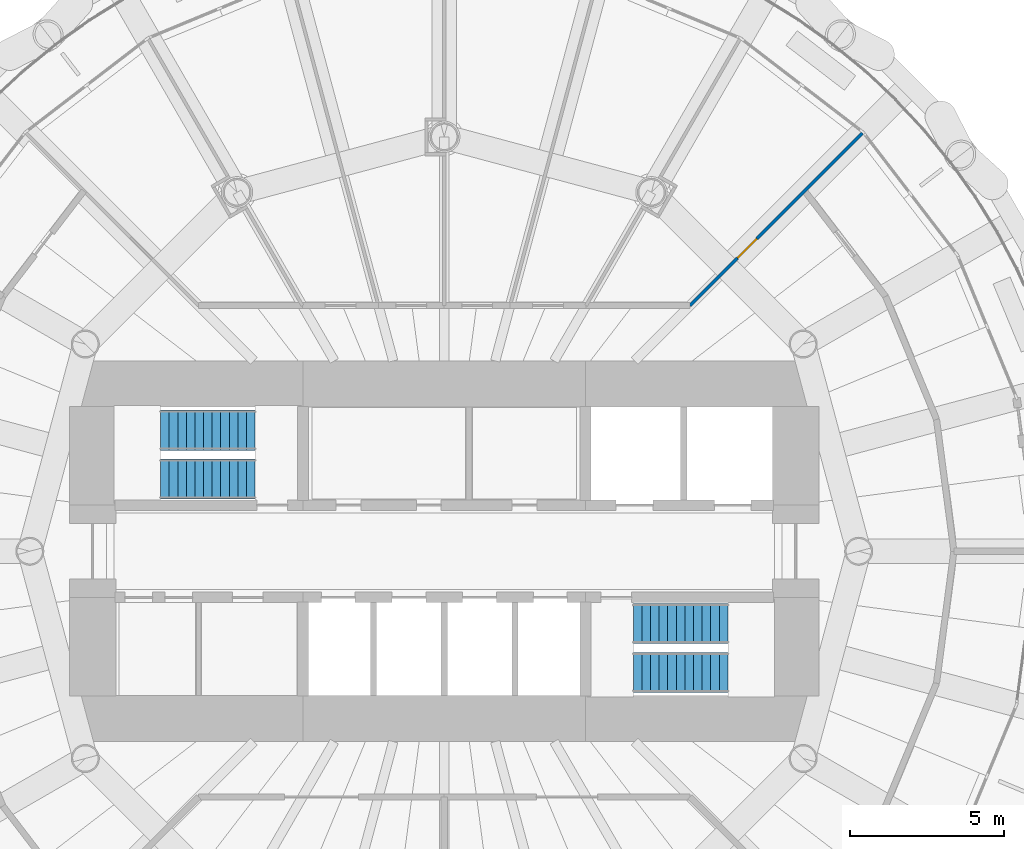
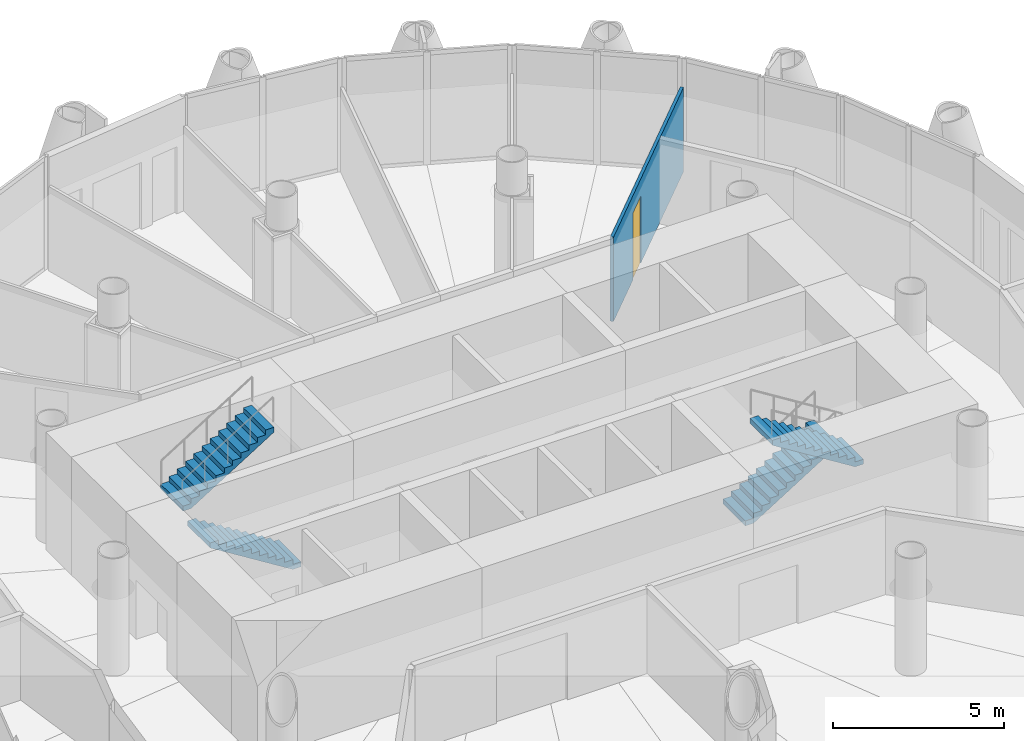
# One storey, part 12 of 15: 4 stair flights, 1 door, 1 wall, 1 opening, 2 elements without a shape of their own.
"""IFC4 building model written with IfcOpenShell, lengths in metres."""

import ifcopenshell
import ifcopenshell.guid

model = None  # the IFC model being written
_history = None  # IfcOwnerHistory: only IFC2X3 demands one
_inside = {}  # id of a spatial element -> (the spatial element, [elements in it])
_under = {}  # id of a project, library or spatial element -> (it, [spatial elements below it])
_declared = {}  # id of a project -> (the project, [libraries it declares])
_typed = {}  # id of a type object -> (the type object, [elements of that type])
_made_of = {}  # id of a material, layer set ... -> (it, [elements and type objects made of it])


def new_model(schema):
    """Start an empty IFC model of exactly this schema.

    Asked for "IFC4X3", IfcOpenShell would pick the latest addendum, in which some entities
    have other attributes; the version numbers below select the first issue.
    IFC2X3 requires an IfcOwnerHistory on every rooted entity: one is made here for all.
    """
    global model, _history
    if schema == "IFC4X3":
        model = ifcopenshell.file(schema_version=(4, 3, 0, 0))
    else:
        model = ifcopenshell.file(schema=schema)
    _inside.clear()
    _under.clear()
    _declared.clear()
    _typed.clear()
    _made_of.clear()
    _history = None
    if model.schema == "IFC2X3":
        org = make("IfcOrganization", Name="unknown")
        user = make(
            "IfcPersonAndOrganization",
            ThePerson=make("IfcPerson", FamilyName="unknown"),
            TheOrganization=org,
        )
        app = make(
            "IfcApplication",
            ApplicationDeveloper=org,
            Version="unknown",
            ApplicationFullName="unknown",
            ApplicationIdentifier="unknown",
        )
        _history = make(
            "IfcOwnerHistory",
            OwningUser=user,
            OwningApplication=app,
            ChangeAction="ADDED",
            CreationDate=0,
        )
    return model


def make(cls, **values):
    """One entity of the class cls with the attributes given. An attribute that is None is left unset."""
    return model.create_entity(
        cls, **{name: value for name, value in values.items() if value is not None}
    )


def rooted(cls, **values):
    """An entity with a GlobalId (a new one), such as an element, a storey or a relation."""
    return make(cls, GlobalId=ifcopenshell.guid.new(), OwnerHistory=_history, **values)


def si_unit(unit_type, name, prefix=None):
    """IfcSIUnit, for example si_unit("LENGTHUNIT", "METRE", prefix="MILLI")."""
    return make("IfcSIUnit", UnitType=unit_type, Prefix=prefix, Name=name)


def assignment(units):
    """IfcUnitAssignment: the units of a project."""
    return None if units is None else make("IfcUnitAssignment", Units=units)


def point(xyz):
    """IfcCartesianPoint."""
    return None if xyz is None else make("IfcCartesianPoint", Coordinates=xyz)


def direction(xyz):
    """IfcDirection."""
    return None if xyz is None else make("IfcDirection", DirectionRatios=xyz)


def frame(location, z_axis=None, x_axis=None):
    """IfcAxis2Placement3D, a coordinate frame: its origin and axes. An axis left out is left unset."""
    return make(
        "IfcAxis2Placement3D",
        Location=point(location),
        Axis=direction(z_axis),
        RefDirection=direction(x_axis),
    )


def frame_2d(location, x_axis=None):
    """IfcAxis2Placement2D, a coordinate frame in the plane: its origin and x axis."""
    return make(
        "IfcAxis2Placement2D", Location=point(location), RefDirection=direction(x_axis)
    )


def origin():
    """The frame at (0, 0, 0) with its axes left unset."""
    return frame((0.0, 0.0, 0.0))


def place(relative_to, where):
    """IfcLocalPlacement: puts the frame where relative to a parent placement (None: the world)."""
    return make(
        "IfcLocalPlacement", PlacementRelTo=relative_to, RelativePlacement=where
    )


def context(
    kind, dimensions, precision=None, world=None, true_north=None, identifier=None
):
    """IfcGeometricRepresentationContext, for example the 3D "Model" context."""
    return make(
        "IfcGeometricRepresentationContext",
        ContextIdentifier=identifier,
        ContextType=kind,
        CoordinateSpaceDimension=dimensions,
        Precision=precision,
        WorldCoordinateSystem=world,
        TrueNorth=true_north,
    )


def subcontext(parent, identifier, kind, view, scale=None):
    """IfcGeometricRepresentationSubContext, for example "Body" below "Model"."""
    return make(
        "IfcGeometricRepresentationSubContext",
        ContextIdentifier=identifier,
        ContextType=kind,
        ParentContext=parent,
        TargetScale=scale,
        TargetView=view,
    )


def project(units=None, contexts=None):
    """IfcProject with its units and contexts."""
    return rooted(
        "IfcProject",
        Name="project",
        RepresentationContexts=contexts,
        UnitsInContext=assignment(units),
    )


def spatial(cls, under=None, at=None, **own):
    """A site, building, storey or space (cls), placed at a placement, below another one or the project."""
    s = rooted(cls, ObjectPlacement=at, **own)
    if under is not None:
        _under.setdefault(under.id(), (under, []))[1].append(s)
    return s


def polyline(points):
    """IfcPolyline through the points."""
    return make("IfcPolyline", Points=[point(p) for p in points])


def profile(cls, at=None, kind="AREA", **sizes):
    """A parametric profile (cls). Its sizes go by their IFC names, for example OverallWidth=200.0."""
    return make(cls, ProfileType=kind, Position=at, **sizes)


def rectangle(**sizes):
    """IfcRectangleProfileDef."""
    return profile("IfcRectangleProfileDef", **sizes)


def outline(outer, holes=None, kind="AREA"):
    """IfcArbitraryClosedProfileDef: a profile drawn as a closed curve; with holes, ...WithVoids."""
    if holes is None:
        return make("IfcArbitraryClosedProfileDef", ProfileType=kind, OuterCurve=outer)
    return make(
        "IfcArbitraryProfileDefWithVoids",
        ProfileType=kind,
        OuterCurve=outer,
        InnerCurves=holes,
    )


def extrude(swept, where, along, depth):
    """IfcExtrudedAreaSolid: the profile swept, set in the frame where, extruded along a direction by depth."""
    return make(
        "IfcExtrudedAreaSolid",
        SweptArea=swept,
        Position=where,
        ExtrudedDirection=direction(along),
        Depth=depth,
    )


def shape(context_of_items, identifier, shape_type, items):
    """IfcShapeRepresentation: the items that make up one representation, for example the "Body"."""
    return make(
        "IfcShapeRepresentation",
        ContextOfItems=context_of_items,
        RepresentationIdentifier=identifier,
        RepresentationType=shape_type,
        Items=items,
    )


def material(Name=None, Category=None):
    """IfcMaterial."""
    return make("IfcMaterial", Name=Name, Category=Category)


def layer(
    of_material, thickness, ventilated=None, Name=None, Category=None, Priority=None
):
    """IfcMaterialLayer: one layer of a wall or slab, of a material (None: an air gap)."""
    return make(
        "IfcMaterialLayer",
        Material=of_material,
        LayerThickness=thickness,
        IsVentilated=ventilated,
        Name=Name,
        Category=Category,
        Priority=Priority,
    )


def layer_set(layers, Name=None):
    """IfcMaterialLayerSet."""
    return make("IfcMaterialLayerSet", MaterialLayers=layers, LayerSetName=Name)


def made_of(thing, what):
    """Note that an element or type object is made of a material, layer set ...; save() writes the relation."""
    if what is not None:
        _made_of.setdefault(what.id(), (what, []))[1].append(thing)
    return thing


def type_object(cls, material=None, **own):
    """A type object (cls), such as IfcWallType, which elements share."""
    return made_of(rooted(cls, **own), material)


def element(
    cls,
    number,
    at=None,
    inside=None,
    cuts=None,
    type_object=None,
    material=None,
    context=None,
    identifier="Body",
    shape_type=None,
    held_by="IfcProductDefinitionShape",
    body=None,
    shapes=None,
    **own,
):
    """One element of the class cls, such as IfcWall. Its Tag is "e" and its number.

    at: its placement. inside: the storey or other place that contains it. cuts: it is an
    opening in that element (IfcRelVoidsElement). A single representation is given by context,
    identifier, shape_type and body (its items); several are given by shapes. held_by: the class
    of the entity that holds the representations. save() writes the other relations.
    """
    e = rooted(cls, Tag="e%d" % number, ObjectPlacement=at, **own)
    if body is not None:
        shapes = [shape(context, identifier, shape_type, body)]
    if shapes is not None:
        e.Representation = make(held_by, Representations=shapes)
    if inside is not None:
        _inside.setdefault(inside.id(), (inside, []))[1].append(e)
    if cuts is not None:
        rooted(
            "IfcRelVoidsElement", RelatingBuildingElement=cuts, RelatedOpeningElement=e
        )
    if type_object is not None:
        _typed.setdefault(type_object.id(), (type_object, []))[1].append(e)
    return made_of(e, material)


def fill(opening, filler):
    """IfcRelFillsElement: the door or window that sits in an opening."""
    return rooted(
        "IfcRelFillsElement",
        RelatingOpeningElement=opening,
        RelatedBuildingElement=filler,
    )


def aggregate(whole, parts):
    """IfcRelAggregates: a whole, such as a stair, and the parts it consists of."""
    return rooted("IfcRelAggregates", RelatingObject=whole, RelatedObjects=parts)


def save(model, path):
    """Write the relations noted so far, then the file.

    IfcRelAggregates (storeys below a building ...), IfcRelContainedInSpatialStructure (elements
    in a storey), IfcRelDefinesByType, IfcRelAssociatesMaterial and IfcRelDeclares: one each for
    every whole, place, type object, material and project.
    """
    for whole, parts in _under.values():
        aggregate(whole, parts)
    for where, things in _inside.values():
        rooted(
            "IfcRelContainedInSpatialStructure",
            RelatedElements=things,
            RelatingStructure=where,
        )
    for kind, things in _typed.values():
        rooted("IfcRelDefinesByType", RelatedObjects=things, RelatingType=kind)
    for what, things in _made_of.values():
        rooted("IfcRelAssociatesMaterial", RelatedObjects=things, RelatingMaterial=what)
    for by, libraries in _declared.values():
        rooted("IfcRelDeclares", RelatingContext=by, RelatedDefinitions=libraries)
    model.write(path)


model = new_model("IFC4")

# Units and contexts
model_context = context("Model", 3, precision=1e-05, world=origin(), true_north=direction((0.0, 1.0)))
body_context = subcontext(model_context, "Body", "Model", "MODEL_VIEW")
ifc_project = project(units=[si_unit("LENGTHUNIT", "METRE"), si_unit("AREAUNIT", "SQUARE_METRE"), si_unit("VOLUMEUNIT", "CUBIC_METRE"), si_unit("PLANEANGLEUNIT", "RADIAN"), si_unit("MASSUNIT", "GRAM", prefix="KILO")], contexts=[model_context])

# Site, building, storey
site_placement = place(None, origin())
site = spatial("IfcSite", under=ifc_project, at=site_placement, CompositionType="ELEMENT")
building_placement = place(site_placement, origin())
building = spatial("IfcBuilding", under=site, at=building_placement, Name="Qaws Media Tower", CompositionType="ELEMENT")
storey_placement = place(building_placement, frame((0.0, 0.0, 265.39990234375)))
storey = spatial("IfcBuildingStorey", under=building, at=storey_placement, Name="L61", CompositionType="ELEMENT", Elevation=265.39990234375)

# Wall, opening, door
ifc_material_1 = material(Name="Gypsum board on 70 metal studs, single layer each side", Category="gypsum")
ifc_layer = layer(ifc_material_1, 0.10009765625)
ifc_layer_set = layer_set([ifc_layer], Name="Office stud partition 100")
wall_type = type_object("IfcWallType", Name="Office stud partition 100", PredefinedType="PARTITIONING", material=ifc_layer_set)
wall_placement = place(storey_placement, frame((68.0, 58.0, 0.0), z_axis=(0.0, 0.0, 1.0), x_axis=(0.707106781187, 0.707106781187, 0.0)))
wall = element("IfcWall", 1, at=wall_placement, inside=storey, type_object=wall_type, Name="W723 IW4 partition L61", PredefinedType="PARTITIONING", context=body_context, shape_type="SweptSolid", body=[
    extrude(rectangle(XDim=7.9462890625, YDim=0.10009765625, at=frame_2d((3.97314453125, 0.0))), origin(), (0.0, 0.0, 1.0), 3.02001953125),
])
opening_placement = place(wall_placement, frame((2.193115234375, 0.0, 0.0)))
opening = element("IfcOpeningElement", 2, at=opening_placement, cuts=wall, Name="Opening D27", PredefinedType="OPENING", context=body_context, shape_type="SweptSolid", body=[
    extrude(rectangle(XDim=0.89990234375, YDim=2.39990234375, at=frame_2d((0.449951171875, 1.199951171875))), frame((0.0, 0.06005859375, 0.0), z_axis=(0.0, -1.0, 0.0), x_axis=(1.0, 0.0, 0.0)), (0.0, 0.0, 1.0), 0.1201171875),
])
ifc_material_2 = material(Name="Timber veneered, full height", Category="wood")
door_type = type_object("IfcDoorType", Name="Office connecting door 900x2400", OperationType="SINGLE_SWING_LEFT", PredefinedType="DOOR", material=ifc_material_2)
door_placement = place(opening_placement, origin())
door = element("IfcDoor", 3, at=door_placement, inside=storey, type_object=door_type, Name="D27 PA office door L61 in wall W723", OperationType="SINGLE_SWING_LEFT", OverallHeight=2.39990234375, OverallWidth=0.89990234375, PredefinedType="DOOR", context=body_context, shape_type="SweptSolid", body=[
    extrude(rectangle(XDim=0.89990234375, YDim=2.39990234375, at=frame_2d((0.449951171875, 1.199951171875))), frame((0.0, 0.02490234375, 0.0), z_axis=(0.0, -1.0, 0.0), x_axis=(1.0, 0.0, 0.0)), (0.0, 0.0, 1.0), 0.050048828125),
])
fill(opening, door)

# Stair, stair flights
ifc_material_3 = material(Name="Concrete C40/50", Category="concrete")
stair_type = type_object("IfcStairType", Name="Exit stair", PredefinedType="HALF_TURN_STAIR", material=ifc_material_3)
stair_1_placement = place(storey_placement, origin())
stair_1 = element("IfcStair", 4, at=stair_1_placement, inside=storey, type_object=stair_type, Name="S1 exit stair L61", PredefinedType="HALF_TURN_STAIR")
ifc_material_4 = material(Name="Concrete C40/50", Category="concrete")
stair_flight_type = type_object("IfcStairFlightType", Name="Stair flight 1310", PredefinedType="STRAIGHT", material=ifc_material_4)
stair_flight_1_placement = place(storey_placement, frame((53.840087890625, 52.35498046875, 0.0), z_axis=(0.0, 0.0, 1.0), x_axis=(-1.0, 0.0, 0.0)))
stair_flight_1 = element("IfcStairFlight", 5, at=stair_flight_1_placement, type_object=stair_flight_type, Name="S1 flight 1", NumberOfRisers=12, NumberOfTreads=11, PredefinedType="STRAIGHT", RiserHeight=0.175, TreadLength=0.28, context=body_context, shape_type="SweptSolid", body=[
    extrude(outline(polyline([(0.0, 0.0), (0.0, 0.175048828125), (0.280029296875, 0.175048828125), (0.280029296875, 0.35009765625), (0.56005859375, 0.35009765625), (0.56005859375, 0.52490234375), (0.840087890625, 0.52490234375), (0.840087890625, 0.699951171875), (1.1201171875, 0.699951171875), (1.1201171875, 0.875), (1.39990234375, 0.875), (1.39990234375, 1.050048828125), (1.679931640625, 1.050048828125), (1.679931640625, 1.22509765625), (1.9599609375, 1.22509765625), (1.9599609375, 1.39990234375), (2.239990234375, 1.39990234375), (2.239990234375, 1.574951171875), (2.52001953125, 1.574951171875), (2.52001953125, 1.75), (2.800048828125, 1.75), (2.800048828125, 1.925048828125), (3.080078125, 1.925048828125), (3.080078125, 2.10009765625), (3.080078125, 1.748291015625), (0.28271484375, 0.0), (0.0, 0.0)])), frame((0.0, 0.655029296875, 0.0), z_axis=(0.0, -1.0, 0.0), x_axis=(1.0, 0.0, 0.0)), (0.0, 0.0, 1.0), 1.31005859375),
])
stair_flight_2_placement = place(storey_placement, frame((50.760009765625, 53.945068359375, 2.10009765625), z_axis=(0.0, 0.0, 1.0), x_axis=(1.0, 0.0, 0.0)))
stair_flight_2 = element("IfcStairFlight", 6, at=stair_flight_2_placement, type_object=stair_flight_type, Name="S1 flight 2", NumberOfRisers=12, NumberOfTreads=11, PredefinedType="STRAIGHT", RiserHeight=0.175, TreadLength=0.28, context=body_context, shape_type="SweptSolid", body=[
    extrude(outline(polyline([(0.0, 0.0), (0.0, 0.175048828125), (0.280029296875, 0.175048828125), (0.280029296875, 0.35009765625), (0.56005859375, 0.35009765625), (0.56005859375, 0.52490234375), (0.840087890625, 0.52490234375), (0.840087890625, 0.699951171875), (1.1201171875, 0.699951171875), (1.1201171875, 0.875), (1.39990234375, 0.875), (1.39990234375, 1.050048828125), (1.679931640625, 1.050048828125), (1.679931640625, 1.22509765625), (1.9599609375, 1.22509765625), (1.9599609375, 1.39990234375), (2.239990234375, 1.39990234375), (2.239990234375, 1.574951171875), (2.52001953125, 1.574951171875), (2.52001953125, 1.75), (2.800048828125, 1.75), (2.800048828125, 1.925048828125), (3.080078125, 1.925048828125), (3.080078125, 2.10009765625), (3.080078125, 1.748291015625), (0.28271484375, 0.0), (0.0, 0.0)])), frame((0.0, 0.655029296875, 0.0), z_axis=(0.0, -1.0, 0.0), x_axis=(1.0, 0.0, 0.0)), (0.0, 0.0, 1.0), 1.31005859375),
])
aggregate(stair_1, [stair_flight_1, stair_flight_2])

stair_2_placement = place(storey_placement, origin())
stair_2 = element("IfcStair", 7, at=stair_2_placement, inside=storey, type_object=stair_type, Name="S2 exit stair L61", PredefinedType="HALF_TURN_STAIR")
stair_flight_3_placement = place(storey_placement, frame((66.159912109375, 47.64501953125, 0.0), z_axis=(0.0, 0.0, 1.0), x_axis=(1.0, 0.0, 0.0)))
stair_flight_3 = element("IfcStairFlight", 8, at=stair_flight_3_placement, type_object=stair_flight_type, Name="S2 flight 1", NumberOfRisers=12, NumberOfTreads=11, PredefinedType="STRAIGHT", RiserHeight=0.175, TreadLength=0.28, context=body_context, shape_type="SweptSolid", body=[
    extrude(outline(polyline([(0.0, 0.0), (0.0, 0.175048828125), (0.280029296875, 0.175048828125), (0.280029296875, 0.35009765625), (0.56005859375, 0.35009765625), (0.56005859375, 0.52490234375), (0.840087890625, 0.52490234375), (0.840087890625, 0.699951171875), (1.1201171875, 0.699951171875), (1.1201171875, 0.875), (1.39990234375, 0.875), (1.39990234375, 1.050048828125), (1.679931640625, 1.050048828125), (1.679931640625, 1.22509765625), (1.9599609375, 1.22509765625), (1.9599609375, 1.39990234375), (2.239990234375, 1.39990234375), (2.239990234375, 1.574951171875), (2.52001953125, 1.574951171875), (2.52001953125, 1.75), (2.800048828125, 1.75), (2.800048828125, 1.925048828125), (3.080078125, 1.925048828125), (3.080078125, 2.10009765625), (3.080078125, 1.748291015625), (0.28271484375, 0.0), (0.0, 0.0)])), frame((0.0, 0.655029296875, 0.0), z_axis=(0.0, -1.0, 0.0), x_axis=(1.0, 0.0, 0.0)), (0.0, 0.0, 1.0), 1.31005859375),
])
stair_flight_4_placement = place(storey_placement, frame((69.239990234375, 46.054931640625, 2.10009765625), z_axis=(0.0, 0.0, 1.0), x_axis=(-1.0, 0.0, 0.0)))
stair_flight_4 = element("IfcStairFlight", 9, at=stair_flight_4_placement, type_object=stair_flight_type, Name="S2 flight 2", NumberOfRisers=12, NumberOfTreads=11, PredefinedType="STRAIGHT", RiserHeight=0.175, TreadLength=0.28, context=body_context, shape_type="SweptSolid", body=[
    extrude(outline(polyline([(0.0, 0.0), (0.0, 0.175048828125), (0.280029296875, 0.175048828125), (0.280029296875, 0.35009765625), (0.56005859375, 0.35009765625), (0.56005859375, 0.52490234375), (0.840087890625, 0.52490234375), (0.840087890625, 0.699951171875), (1.1201171875, 0.699951171875), (1.1201171875, 0.875), (1.39990234375, 0.875), (1.39990234375, 1.050048828125), (1.679931640625, 1.050048828125), (1.679931640625, 1.22509765625), (1.9599609375, 1.22509765625), (1.9599609375, 1.39990234375), (2.239990234375, 1.39990234375), (2.239990234375, 1.574951171875), (2.52001953125, 1.574951171875), (2.52001953125, 1.75), (2.800048828125, 1.75), (2.800048828125, 1.925048828125), (3.080078125, 1.925048828125), (3.080078125, 2.10009765625), (3.080078125, 1.748291015625), (0.28271484375, 0.0), (0.0, 0.0)])), frame((0.0, 0.655029296875, 0.0), z_axis=(0.0, -1.0, 0.0), x_axis=(1.0, 0.0, 0.0)), (0.0, 0.0, 1.0), 1.31005859375),
])
aggregate(stair_2, [stair_flight_3, stair_flight_4])

save(model, "model.ifc")
